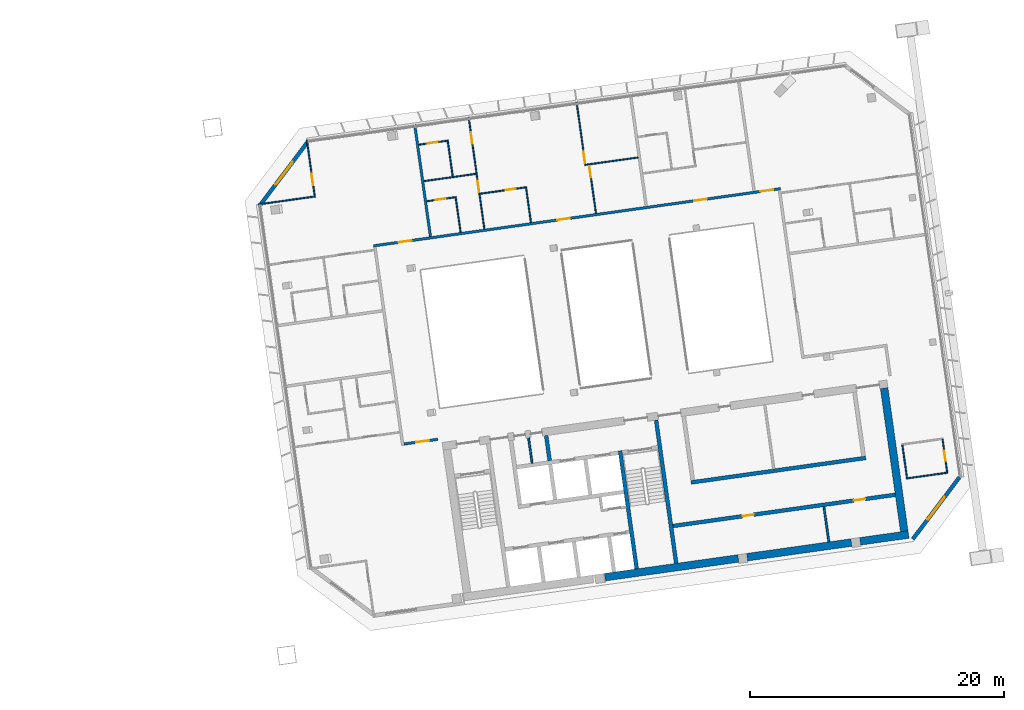
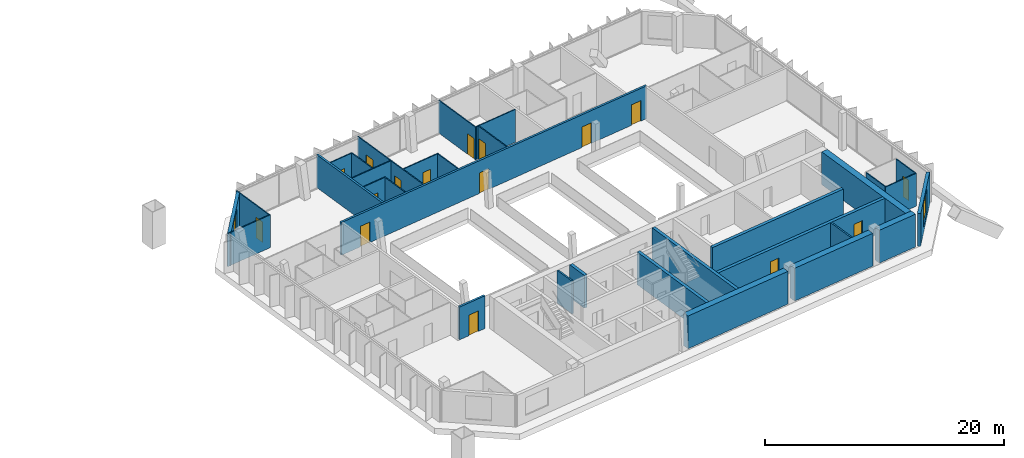
# One storey, part 20 of 26: 32 walls, 16 doors, 2 windows, 18 openings.
"""IFC4 building model written with IfcOpenShell, lengths in metres."""

from ifc_helpers import new_model, si_unit, direction, frame, frame_2d, origin, place, context, subcontext, project, spatial, rectangle, extrude, material, layer, layer_set, type_object, element, fill, save


model = new_model("IFC4")

# Units and contexts
model_context = context("Model", 3, precision=1e-05, world=origin(), true_north=direction((0.0, 1.0)))
body_context = subcontext(model_context, "Body", "Model", "MODEL_VIEW")
ifc_project = project(units=[si_unit("LENGTHUNIT", "METRE"), si_unit("AREAUNIT", "SQUARE_METRE"), si_unit("VOLUMEUNIT", "CUBIC_METRE"), si_unit("PLANEANGLEUNIT", "RADIAN"), si_unit("MASSUNIT", "GRAM", prefix="KILO")], contexts=[model_context])

# Site, building, storey
site_placement = place(None, origin())
site = spatial("IfcSite", under=ifc_project, at=site_placement, CompositionType="ELEMENT")
building_placement = place(site_placement, origin())
building = spatial("IfcBuilding", under=site, at=building_placement, Name="Mirante Cascada Hotel Towers", CompositionType="ELEMENT")
storey_placement = place(building_placement, frame((0.0, 0.0, 228.0)))
storey = spatial("IfcBuildingStorey", under=building, at=storey_placement, Name="L54", CompositionType="ELEMENT", Elevation=228.0)

# Wall, opening, door
ifc_material_1 = material(Name="Fire-rated plasterboard on metal studs")
ifc_layer_1 = layer(ifc_material_1, 0.2)
ifc_layer_set_1 = layer_set([ifc_layer_1], Name="Compartment wall 200 EI 120")
wall_type_1 = type_object("IfcWallType", Name="Compartment wall 200 EI 120", PredefinedType="PARTITIONING", material=ifc_layer_set_1)
wall_1_placement = place(storey_placement, frame((35.2634, -7.1173, 0.0), z_axis=(0.0, 0.0, 1.0), x_axis=(-0.9902713, -0.1391498, 0.0)))
wall_1 = element("IfcWall", 1, at=wall_1_placement, inside=storey, type_object=wall_type_1, Name="Wall 2-L54-04", PredefinedType="PARTITIONING", context=body_context, shape_type="SweptSolid", body=[
    extrude(rectangle(XDim=2.7, YDim=0.2, at=frame_2d((1.35, 0.0))), origin(), (0.0, 0.0, 1.0), 3.35),
])
opening_1_placement = place(wall_1_placement, frame((0.7, 0.0, 0.0)))
opening_1 = element("IfcOpeningElement", 2, at=opening_1_placement, cuts=wall_1, Name="Opening D2-L54-01", PredefinedType="OPENING", context=body_context, shape_type="SweptSolid", body=[
    extrude(rectangle(XDim=1.0, YDim=2.1, at=frame_2d((0.5, 1.05))), frame((0.0, 0.1, 0.0), z_axis=(0.0, -1.0, 0.0), x_axis=(1.0, 0.0, 0.0)), (0.0, 0.0, 1.0), 0.2),
])
ifc_material_2 = material(Name="Fire-rated timber door leaf", Category="wood")
door_type_1 = type_object("IfcDoorType", Name="Entrance door DG1 1000x2100 EI 60", OperationType="SINGLE_SWING_LEFT", PredefinedType="DOOR", material=ifc_material_2)
door_1_placement = place(opening_1_placement, origin())
door_1 = element("IfcDoor", 3, at=door_1_placement, inside=storey, type_object=door_type_1, Name="Door D2-L54-01", OperationType="SINGLE_SWING_LEFT", OverallHeight=2.1, OverallWidth=1.0, PredefinedType="DOOR", context=body_context, shape_type="SweptSolid", body=[
    extrude(rectangle(XDim=1.0, YDim=2.1, at=frame_2d((0.5, 1.05))), frame((0.0, 0.025, 0.0), z_axis=(0.0, -1.0, 0.0), x_axis=(1.0, 0.0, 0.0)), (0.0, 0.0, 1.0), 0.05),
])
fill(opening_1, door_1)

# Wall, openings, doors
wall_2_placement = place(storey_placement, frame((62.2774, 12.6346, 0.0), z_axis=(0.0, 0.0, 1.0), x_axis=(-0.9902681, -0.1391728, 0.0)))
wall_2 = element("IfcWall", 4, at=wall_2_placement, inside=storey, type_object=wall_type_1, Name="Wall 2-L54-18", PredefinedType="PARTITIONING", context=body_context, shape_type="SweptSolid", body=[
    extrude(rectangle(XDim=32.4, YDim=0.2, at=frame_2d((16.2, 0.0))), origin(), (0.0, 0.0, 1.0), 3.35),
])
opening_2_placement = place(wall_2_placement, frame((29.3753, 0.0, 0.0)))
opening_2 = element("IfcOpeningElement", 5, at=opening_2_placement, cuts=wall_2, Name="Opening D2-L54-08", PredefinedType="OPENING", context=body_context, shape_type="SweptSolid", body=[
    extrude(rectangle(XDim=1.0, YDim=2.1, at=frame_2d((0.5, 1.05))), frame((0.0, 0.1, 0.0), z_axis=(0.0, -1.0, 0.0), x_axis=(1.0, 0.0, 0.0)), (0.0, 0.0, 1.0), 0.2),
])
opening_3_placement = place(wall_2_placement, frame((16.763, 0.0, 0.0)))
opening_3 = element("IfcOpeningElement", 6, at=opening_3_placement, cuts=wall_2, Name="Opening D2-L54-09", PredefinedType="OPENING", context=body_context, shape_type="SweptSolid", body=[
    extrude(rectangle(XDim=1.0, YDim=2.1, at=frame_2d((0.5, 1.05))), frame((0.0, 0.1, 0.0), z_axis=(0.0, -1.0, 0.0), x_axis=(1.0, 0.0, 0.0)), (0.0, 0.0, 1.0), 0.2),
])
opening_4_placement = place(wall_2_placement, frame((5.8815, 0.0, 0.0)))
opening_4 = element("IfcOpeningElement", 7, at=opening_4_placement, cuts=wall_2, Name="Opening D2-L54-10", PredefinedType="OPENING", context=body_context, shape_type="SweptSolid", body=[
    extrude(rectangle(XDim=1.0, YDim=2.1, at=frame_2d((0.5, 1.05))), frame((0.0, 0.1, 0.0), z_axis=(0.0, -1.0, 0.0), x_axis=(1.0, 0.0, 0.0)), (0.0, 0.0, 1.0), 0.2),
])
opening_5_placement = place(wall_2_placement, frame((0.5939, 0.0, 0.0)))
opening_5 = element("IfcOpeningElement", 8, at=opening_5_placement, cuts=wall_2, Name="Opening D2-L54-11", PredefinedType="OPENING", context=body_context, shape_type="SweptSolid", body=[
    extrude(rectangle(XDim=1.0, YDim=2.1, at=frame_2d((0.5, 1.05))), frame((0.0, 0.1, 0.0), z_axis=(0.0, -1.0, 0.0), x_axis=(1.0, 0.0, 0.0)), (0.0, 0.0, 1.0), 0.2),
])
door_2_placement = place(opening_2_placement, frame((1.0, 0.0, 0.0), z_axis=(0.0, 0.0, 1.0), x_axis=(-1.0, 0.0, 0.0)))
door_2 = element("IfcDoor", 9, at=door_2_placement, inside=storey, type_object=door_type_1, Name="Door D2-L54-08", OperationType="SINGLE_SWING_RIGHT", OverallHeight=2.1, OverallWidth=1.0, PredefinedType="DOOR", context=body_context, shape_type="SweptSolid", body=[
    extrude(rectangle(XDim=1.0, YDim=2.1, at=frame_2d((0.5, 1.05))), frame((0.0, 0.025, 0.0), z_axis=(0.0, -1.0, 0.0), x_axis=(1.0, 0.0, 0.0)), (0.0, 0.0, 1.0), 0.05),
])
fill(opening_2, door_2)
door_3_placement = place(opening_3_placement, frame((1.0, 0.0, 0.0), z_axis=(0.0, 0.0, 1.0), x_axis=(-1.0, 0.0, 0.0)))
door_3 = element("IfcDoor", 10, at=door_3_placement, inside=storey, type_object=door_type_1, Name="Door D2-L54-09", OperationType="SINGLE_SWING_RIGHT", OverallHeight=2.1, OverallWidth=1.0, PredefinedType="DOOR", context=body_context, shape_type="SweptSolid", body=[
    extrude(rectangle(XDim=1.0, YDim=2.1, at=frame_2d((0.5, 1.05))), frame((0.0, 0.025, 0.0), z_axis=(0.0, -1.0, 0.0), x_axis=(1.0, 0.0, 0.0)), (0.0, 0.0, 1.0), 0.05),
])
fill(opening_3, door_3)
door_4_placement = place(opening_4_placement, frame((1.0, 0.0, 0.0), z_axis=(0.0, 0.0, 1.0), x_axis=(-1.0, 0.0, 0.0)))
door_4 = element("IfcDoor", 11, at=door_4_placement, inside=storey, type_object=door_type_1, Name="Door D2-L54-10", OperationType="SINGLE_SWING_RIGHT", OverallHeight=2.1, OverallWidth=1.0, PredefinedType="DOOR", context=body_context, shape_type="SweptSolid", body=[
    extrude(rectangle(XDim=1.0, YDim=2.1, at=frame_2d((0.5, 1.05))), frame((0.0, 0.025, 0.0), z_axis=(0.0, -1.0, 0.0), x_axis=(1.0, 0.0, 0.0)), (0.0, 0.0, 1.0), 0.05),
])
fill(opening_4, door_4)
door_5_placement = place(opening_5_placement, frame((1.0, 0.0, 0.0), z_axis=(0.0, 0.0, 1.0), x_axis=(-1.0, 0.0, 0.0)))
door_5 = element("IfcDoor", 12, at=door_5_placement, inside=storey, type_object=door_type_1, Name="Door D2-L54-11", OperationType="SINGLE_SWING_RIGHT", OverallHeight=2.1, OverallWidth=1.0, PredefinedType="DOOR", context=body_context, shape_type="SweptSolid", body=[
    extrude(rectangle(XDim=1.0, YDim=2.1, at=frame_2d((0.5, 1.05))), frame((0.0, 0.025, 0.0), z_axis=(0.0, -1.0, 0.0), x_axis=(1.0, 0.0, 0.0)), (0.0, 0.0, 1.0), 0.05),
])
fill(opening_5, door_5)

# Walls
wall_3_placement = place(storey_placement, frame((34.6839, 8.8575, 0.0), z_axis=(0.0, 0.0, 1.0), x_axis=(-0.1391684, 0.9902687, 0.0)))
element("IfcWall", 13, at=wall_3_placement, inside=storey, type_object=wall_type_1, Name="Wall 2-L54-37", PredefinedType="PARTITIONING", context=body_context, shape_type="SweptSolid", body=[
    extrude(rectangle(XDim=8.9, YDim=0.2, at=frame_2d((4.45, 0.0))), origin(), (0.0, 0.0, 1.0), 3.35),
])
ifc_material_3 = material(Name="Masonry block", Category="masonry")
ifc_layer_2 = layer(ifc_material_3, 0.15)
ifc_layer_set_2 = layer_set([ifc_layer_2], Name="Core room partition 150 block EI 30")
wall_type_2 = type_object("IfcWallType", Name="Core room partition 150 block EI 30", PredefinedType="PARTITIONING", material=ifc_layer_set_2)
wall_4_placement = place(storey_placement, frame((42.6979, -9.0009, 0.0), z_axis=(0.0, 0.0, 1.0), x_axis=(-0.1391529, 0.9902709, 0.0)))
element("IfcWall", 14, at=wall_4_placement, inside=storey, type_object=wall_type_2, Name="Core wall partition T2 L54 4", PredefinedType="PARTITIONING", context=body_context, shape_type="SweptSolid", body=[
    extrude(rectangle(XDim=2.0, YDim=0.15, at=frame_2d((1.0, 0.0))), origin(), (0.0, 0.0, 1.0), 3.35),
])
wall_5_placement = place(storey_placement, frame((66.0891, -15.2059, 0.0), z_axis=(0.0, 0.0, 1.0), x_axis=(-0.139176, 0.9902677, 0.0)))
element("IfcWall", 15, at=wall_5_placement, inside=storey, type_object=wall_type_2, Name="Core wall partition T2 L54 6", PredefinedType="PARTITIONING", context=body_context, shape_type="SweptSolid", body=[
    extrude(rectangle(XDim=2.8001, YDim=0.15, at=frame_2d((1.4, 0.0))), origin(), (0.0, 0.0, 1.0), 3.35),
])
ifc_material_4 = material(Name="Masonry block", Category="masonry")
ifc_layer_3 = layer(ifc_material_4, 0.3)
ifc_layer_set_3 = layer_set([ifc_layer_3], Name="Core wall 300 block EI 120")
wall_type_3 = type_object("IfcWallType", Name="Core wall 300 block EI 120", PredefinedType="PARTITIONING", material=ifc_layer_set_3)
wall_6_placement = place(storey_placement, frame((44.0843, -8.8061, 0.0), z_axis=(0.0, 0.0, 1.0), x_axis=(-0.1391951, 0.990265, 0.0)))
element("IfcWall", 16, at=wall_6_placement, inside=storey, type_object=wall_type_3, Name="Core wall partition T2 L54 1", PredefinedType="PARTITIONING", context=body_context, shape_type="SweptSolid", body=[
    extrude(rectangle(XDim=2.0001, YDim=0.3, at=frame_2d((1.0001, 0.0))), origin(), (0.0, 0.0, 1.0), 3.35),
])

# Wall, openings, doors
wall_7_placement = place(storey_placement, frame((53.7953, -13.9547, 0.0), z_axis=(0.0, 0.0, 1.0), x_axis=(0.9902678, 0.1391747, 0.0)))
wall_7 = element("IfcWall", 17, at=wall_7_placement, inside=storey, type_object=wall_type_3, Name="Core wall partition T2 L54 5", PredefinedType="PARTITIONING", context=body_context, shape_type="SweptSolid", body=[
    extrude(rectangle(XDim=17.7001, YDim=0.3, at=frame_2d((8.85, 0.0))), origin(), (0.0, 0.0, 1.0), 3.35),
])
opening_6_placement = place(wall_7_placement, frame((5.55, 0.0, 0.0)))
opening_6 = element("IfcOpeningElement", 18, at=opening_6_placement, cuts=wall_7, Name="Opening D2-54-C18", PredefinedType="OPENING", context=body_context, shape_type="SweptSolid", body=[
    extrude(rectangle(XDim=0.9, YDim=2.1, at=frame_2d((0.45, 1.05))), frame((0.0, 0.15, 0.0), z_axis=(0.0, -1.0, 0.0), x_axis=(1.0, 0.0, 0.0)), (0.0, 0.0, 1.0), 0.3),
])
opening_7_placement = place(wall_7_placement, frame((14.4, 0.0, 0.0)))
opening_7 = element("IfcOpeningElement", 19, at=opening_7_placement, cuts=wall_7, Name="Opening D2-54-C19", PredefinedType="OPENING", context=body_context, shape_type="SweptSolid", body=[
    extrude(rectangle(XDim=0.9, YDim=2.1, at=frame_2d((0.45, 1.05))), frame((0.0, 0.15, 0.0), z_axis=(0.0, -1.0, 0.0), x_axis=(1.0, 0.0, 0.0)), (0.0, 0.0, 1.0), 0.3),
])
ifc_material_5 = material(Name="Hollow metal fire door leaf")
door_type_2 = type_object("IfcDoorType", Name="Fire door 900x2100 FD60", OperationType="NOTDEFINED", PredefinedType="DOOR", material=ifc_material_5)
door_6_placement = place(opening_6_placement, frame((0.9, 0.0, 0.0), z_axis=(0.0, 0.0, 1.0), x_axis=(-1.0, 0.0, 0.0)))
door_6 = element("IfcDoor", 20, at=door_6_placement, inside=storey, type_object=door_type_2, Name="Room door T2 L54 18", OperationType="SINGLE_SWING_LEFT", OverallHeight=2.1, OverallWidth=0.9, PredefinedType="DOOR", context=body_context, shape_type="SweptSolid", body=[
    extrude(rectangle(XDim=0.9, YDim=2.1, at=frame_2d((0.45, 1.05))), frame((0.0, 0.025, 0.0), z_axis=(0.0, -1.0, 0.0), x_axis=(1.0, 0.0, 0.0)), (0.0, 0.0, 1.0), 0.05),
])
fill(opening_6, door_6)
door_7_placement = place(opening_7_placement, frame((0.9, 0.0, 0.0), z_axis=(0.0, 0.0, 1.0), x_axis=(-1.0, 0.0, 0.0)))
door_7 = element("IfcDoor", 21, at=door_7_placement, inside=storey, type_object=door_type_2, Name="Room door T2 L54 19", OperationType="SINGLE_SWING_RIGHT", OverallHeight=2.1, OverallWidth=0.9, PredefinedType="DOOR", context=body_context, shape_type="SweptSolid", body=[
    extrude(rectangle(XDim=0.9, YDim=2.1, at=frame_2d((0.45, 1.05))), frame((0.0, 0.025, 0.0), z_axis=(0.0, -1.0, 0.0), x_axis=(1.0, 0.0, 0.0)), (0.0, 0.0, 1.0), 0.05),
])
fill(opening_7, door_7)

# Wall
ifc_material_6 = material(Name="Plasterboard on metal studs")
ifc_layer_4 = layer(ifc_material_6, 0.1)
ifc_layer_set_4 = layer_set([ifc_layer_4], Name="Partition 100")
wall_type_4 = type_object("IfcWallType", Name="Partition 100", PredefinedType="PARTITIONING", material=ifc_layer_set_4)
wall_8_placement = place(storey_placement, frame((75.4707, -9.7471, 0.0), z_axis=(0.0, 0.0, 1.0), x_axis=(-0.990267, -0.139181, 0.0)))
element("IfcWall", 22, at=wall_8_placement, inside=storey, type_object=wall_type_4, Name="Wall 2-L54-02", PredefinedType="PARTITIONING", context=body_context, shape_type="SweptSolid", body=[
    extrude(rectangle(XDim=3.3, YDim=0.1, at=frame_2d((1.65, 0.0))), origin(), (0.0, 0.0, 1.0), 3.35),
])

# Wall, opening, door
wall_9_placement = place(storey_placement, frame((36.6214, 11.9573, 0.0), z_axis=(0.0, 0.0, 1.0), x_axis=(-0.9902713, -0.13915, 0.0)))
wall_9 = element("IfcWall", 23, at=wall_9_placement, inside=storey, type_object=wall_type_4, Name="Wall 2-L54-20", PredefinedType="PARTITIONING", context=body_context, shape_type="SweptSolid", body=[
    extrude(rectangle(XDim=2.2501, YDim=0.1, at=frame_2d((1.1251, 0.0))), origin(), (0.0, 0.0, 1.0), 3.35),
])
opening_8_placement = place(wall_9_placement, frame((0.75, 0.0, 0.0)))
opening_8 = element("IfcOpeningElement", 24, at=opening_8_placement, cuts=wall_9, Name="Opening D2-L54-12", PredefinedType="OPENING", context=body_context, shape_type="SweptSolid", body=[
    extrude(rectangle(XDim=0.8, YDim=2.1, at=frame_2d((0.4, 1.05))), frame((0.0, 0.05, 0.0), z_axis=(0.0, -1.0, 0.0), x_axis=(1.0, 0.0, 0.0)), (0.0, 0.0, 1.0), 0.1),
])
ifc_material_7 = material(Name="Timber door leaf", Category="wood")
door_type_3 = type_object("IfcDoorType", Name="Bathroom door DG4 800x2100", OperationType="SINGLE_SWING_LEFT", PredefinedType="DOOR", material=ifc_material_7)
door_8_placement = place(opening_8_placement, origin())
door_8 = element("IfcDoor", 25, at=door_8_placement, inside=storey, type_object=door_type_3, Name="Door D2-L54-12", OperationType="SINGLE_SWING_LEFT", OverallHeight=2.1, OverallWidth=0.8, PredefinedType="DOOR", context=body_context, shape_type="SweptSolid", body=[
    extrude(rectangle(XDim=0.8, YDim=2.1, at=frame_2d((0.4, 1.05))), frame((0.0, 0.025, 0.0), z_axis=(0.0, -1.0, 0.0), x_axis=(1.0, 0.0, 0.0)), (0.0, 0.0, 1.0), 0.05),
])
fill(opening_8, door_8)

wall_10_placement = place(storey_placement, frame((38.5957, 12.2348, 0.0), z_axis=(0.0, 0.0, 1.0), x_axis=(0.9902686, 0.1391697, 0.0)))
wall_10 = element("IfcWall", 26, at=wall_10_placement, inside=storey, type_object=wall_type_4, Name="Wall 2-L54-21", PredefinedType="PARTITIONING", context=body_context, shape_type="SweptSolid", body=[
    extrude(rectangle(XDim=3.7063, YDim=0.1, at=frame_2d((1.8532, 0.0))), origin(), (0.0, 0.0, 1.0), 3.35),
])
opening_9_placement = place(wall_10_placement, frame((2.0562, 0.0, 0.0)))
opening_9 = element("IfcOpeningElement", 27, at=opening_9_placement, cuts=wall_10, Name="Opening D2-L54-13", PredefinedType="OPENING", context=body_context, shape_type="SweptSolid", body=[
    extrude(rectangle(XDim=0.8, YDim=2.1, at=frame_2d((0.4, 1.05))), frame((0.0, 0.05, 0.0), z_axis=(0.0, -1.0, 0.0), x_axis=(1.0, 0.0, 0.0)), (0.0, 0.0, 1.0), 0.1),
])
door_9_placement = place(opening_9_placement, origin())
door_9 = element("IfcDoor", 28, at=door_9_placement, inside=storey, type_object=door_type_3, Name="Door D2-L54-13", OperationType="SINGLE_SWING_LEFT", OverallHeight=2.1, OverallWidth=0.8, PredefinedType="DOOR", context=body_context, shape_type="SweptSolid", body=[
    extrude(rectangle(XDim=0.8, YDim=2.1, at=frame_2d((0.4, 1.05))), frame((0.0, 0.025, 0.0), z_axis=(0.0, -1.0, 0.0), x_axis=(1.0, 0.0, 0.0)), (0.0, 0.0, 1.0), 0.05),
])
fill(opening_9, door_9)

# Walls
wall_11_placement = place(storey_placement, frame((51.0503, 15.096, 0.0), z_axis=(0.0, 0.0, 1.0), x_axis=(-0.9902684, -0.1391709, 0.0)))
element("IfcWall", 29, at=wall_11_placement, inside=storey, type_object=wall_type_4, Name="Wall 2-L54-22", PredefinedType="PARTITIONING", context=body_context, shape_type="SweptSolid", body=[
    extrude(rectangle(XDim=4.1438, YDim=0.1, at=frame_2d((2.0719, 0.0))), origin(), (0.0, 0.0, 1.0), 3.35),
])
wall_12_placement = place(storey_placement, frame((25.6169, 12.0265, 0.0), z_axis=(0.0, 0.0, 1.0), x_axis=(-0.9902691, -0.1391656, 0.0)))
element("IfcWall", 30, at=wall_12_placement, inside=storey, type_object=wall_type_4, Name="Wall 2-L54-24", PredefinedType="PARTITIONING", context=body_context, shape_type="SweptSolid", body=[
    extrude(rectangle(XDim=4.55, YDim=0.1, at=frame_2d((2.275, 0.0))), origin(), (0.0, 0.0, 1.0), 3.35),
])
wall_13_placement = place(storey_placement, frame((34.1706, 13.2286, 0.0), z_axis=(0.0, 0.0, 1.0), x_axis=(0.9902679, 0.1391742, 0.0)))
element("IfcWall", 31, at=wall_13_placement, inside=storey, type_object=wall_type_4, Name="Wall 2-L54-25", PredefinedType="PARTITIONING", context=body_context, shape_type="SweptSolid", body=[
    extrude(rectangle(XDim=4.1437, YDim=0.1, at=frame_2d((2.0718, 0.0))), origin(), (0.0, 0.0, 1.0), 3.35),
])

# Wall, opening, door
wall_14_placement = place(storey_placement, frame((33.767, 16.1004, 0.0), z_axis=(0.0, 0.0, 1.0), x_axis=(0.9902643, 0.1391997, 0.0)))
wall_14 = element("IfcWall", 32, at=wall_14_placement, inside=storey, type_object=wall_type_4, Name="Wall 2-L54-27", PredefinedType="PARTITIONING", context=body_context, shape_type="SweptSolid", body=[
    extrude(rectangle(XDim=2.25, YDim=0.1, at=frame_2d((1.125, 0.0))), origin(), (0.0, 0.0, 1.0), 3.35),
])
opening_10_placement = place(wall_14_placement, frame((0.7, 0.0, 0.0)))
opening_10 = element("IfcOpeningElement", 33, at=opening_10_placement, cuts=wall_14, Name="Opening D2-L54-16", PredefinedType="OPENING", context=body_context, shape_type="SweptSolid", body=[
    extrude(rectangle(XDim=0.8, YDim=2.1, at=frame_2d((0.4, 1.05))), frame((0.0, 0.05, 0.0), z_axis=(0.0, -1.0, 0.0), x_axis=(1.0, 0.0, 0.0)), (0.0, 0.0, 1.0), 0.1),
])
door_10_placement = place(opening_10_placement, frame((0.8, 0.0, 0.0), z_axis=(0.0, 0.0, 1.0), x_axis=(-1.0, 0.0, 0.0)))
door_10 = element("IfcDoor", 34, at=door_10_placement, inside=storey, type_object=door_type_3, Name="Door D2-L54-16", OperationType="SINGLE_SWING_RIGHT", OverallHeight=2.1, OverallWidth=0.8, PredefinedType="DOOR", context=body_context, shape_type="SweptSolid", body=[
    extrude(rectangle(XDim=0.8, YDim=2.1, at=frame_2d((0.4, 1.05))), frame((0.0, 0.025, 0.0), z_axis=(0.0, -1.0, 0.0), x_axis=(1.0, 0.0, 0.0)), (0.0, 0.0, 1.0), 0.05),
])
fill(opening_10, door_10)

wall_15_placement = place(storey_placement, frame((25.5605, 12.0691, 0.0), z_axis=(0.0, 0.0, 1.0), x_axis=(-0.1391935, 0.9902652, 0.0)))
wall_15 = element("IfcWall", 35, at=wall_15_placement, inside=storey, type_object=wall_type_4, Name="Wall 2-L54-33", PredefinedType="PARTITIONING", context=body_context, shape_type="SweptSolid", body=[
    extrude(rectangle(XDim=4.4499, YDim=0.1, at=frame_2d((2.225, 0.0))), origin(), (0.0, 0.0, 1.0), 3.35),
])
opening_11_placement = place(wall_15_placement, frame((0.8583, 0.0, 0.0)))
opening_11 = element("IfcOpeningElement", 36, at=opening_11_placement, cuts=wall_15, Name="Opening D2-L54-20", PredefinedType="OPENING", context=body_context, shape_type="SweptSolid", body=[
    extrude(rectangle(XDim=0.9, YDim=2.1, at=frame_2d((0.45, 1.05))), frame((0.0, 0.05, 0.0), z_axis=(0.0, -1.0, 0.0), x_axis=(1.0, 0.0, 0.0)), (0.0, 0.0, 1.0), 0.1),
])
ifc_material_8 = material(Name="Timber door leaf", Category="wood")
door_type_4 = type_object("IfcDoorType", Name="Room door DG3 900x2100", OperationType="SINGLE_SWING_LEFT", PredefinedType="DOOR", material=ifc_material_8)
door_11_placement = place(opening_11_placement, frame((0.9, 0.0, 0.0), z_axis=(0.0, 0.0, 1.0), x_axis=(-1.0, 0.0, 0.0)))
door_11 = element("IfcDoor", 37, at=door_11_placement, inside=storey, type_object=door_type_4, Name="Door D2-L54-20", OperationType="SINGLE_SWING_RIGHT", OverallHeight=2.1, OverallWidth=0.9, PredefinedType="DOOR", context=body_context, shape_type="SweptSolid", body=[
    extrude(rectangle(XDim=0.9, YDim=2.1, at=frame_2d((0.45, 1.05))), frame((0.0, 0.025, 0.0), z_axis=(0.0, -1.0, 0.0), x_axis=(1.0, 0.0, 0.0)), (0.0, 0.0, 1.0), 0.05),
])
fill(opening_11, door_11)

# Walls
wall_16_placement = place(storey_placement, frame((36.6639, 12.0138, 0.0), z_axis=(0.0, 0.0, 1.0), x_axis=(0.1391613, -0.9902697, 0.0)))
element("IfcWall", 38, at=wall_16_placement, inside=storey, type_object=wall_type_4, Name="Wall 2-L54-38", PredefinedType="PARTITIONING", context=body_context, shape_type="SweptSolid", body=[
    extrude(rectangle(XDim=2.8499, YDim=0.1, at=frame_2d((1.425, 0.0))), origin(), (0.0, 0.0, 1.0), 3.35),
])
wall_17_placement = place(storey_placement, frame((36.4412, 13.5982, 0.0), z_axis=(0.0, 0.0, 1.0), x_axis=(-0.1391714, 0.9902683, 0.0)))
element("IfcWall", 39, at=wall_17_placement, inside=storey, type_object=wall_type_4, Name="Wall 2-L54-39", PredefinedType="PARTITIONING", context=body_context, shape_type="SweptSolid", body=[
    extrude(rectangle(XDim=2.9, YDim=0.1, at=frame_2d((1.45, 0.0))), origin(), (0.0, 0.0, 1.0), 3.35),
])

# Wall, openings, doors
wall_18_placement = place(storey_placement, frame((37.6973, 18.2685, 0.0), z_axis=(0.0, 0.0, 1.0), x_axis=(0.1391684, -0.9902687, 0.0)))
wall_18 = element("IfcWall", 40, at=wall_18_placement, inside=storey, type_object=wall_type_4, Name="Wall 2-L54-40", PredefinedType="PARTITIONING", context=body_context, shape_type="SweptSolid", body=[
    extrude(rectangle(XDim=8.9, YDim=0.1, at=frame_2d((4.45, 0.0))), origin(), (0.0, 0.0, 1.0), 3.35),
])
opening_12_placement = place(wall_18_placement, frame((5.05, 0.0, 0.0)))
opening_12 = element("IfcOpeningElement", 41, at=opening_12_placement, cuts=wall_18, Name="Opening D2-L54-24", PredefinedType="OPENING", context=body_context, shape_type="SweptSolid", body=[
    extrude(rectangle(XDim=0.9, YDim=2.1, at=frame_2d((0.45, 1.05))), frame((0.0, 0.05, 0.0), z_axis=(0.0, -1.0, 0.0), x_axis=(1.0, 0.0, 0.0)), (0.0, 0.0, 1.0), 0.1),
])
opening_13_placement = place(wall_18_placement, frame((1.2, 0.0, 0.0)))
opening_13 = element("IfcOpeningElement", 42, at=opening_13_placement, cuts=wall_18, Name="Opening D2-L54-25", PredefinedType="OPENING", context=body_context, shape_type="SweptSolid", body=[
    extrude(rectangle(XDim=0.9, YDim=2.1, at=frame_2d((0.45, 1.05))), frame((0.0, 0.05, 0.0), z_axis=(0.0, -1.0, 0.0), x_axis=(1.0, 0.0, 0.0)), (0.0, 0.0, 1.0), 0.1),
])
door_12_placement = place(opening_12_placement, origin())
door_12 = element("IfcDoor", 43, at=door_12_placement, inside=storey, type_object=door_type_4, Name="Door D2-L54-24", OperationType="SINGLE_SWING_LEFT", OverallHeight=2.1, OverallWidth=0.9, PredefinedType="DOOR", context=body_context, shape_type="SweptSolid", body=[
    extrude(rectangle(XDim=0.9, YDim=2.1, at=frame_2d((0.45, 1.05))), frame((0.0, 0.025, 0.0), z_axis=(0.0, -1.0, 0.0), x_axis=(1.0, 0.0, 0.0)), (0.0, 0.0, 1.0), 0.05),
])
fill(opening_12, door_12)
door_13_placement = place(opening_13_placement, origin())
door_13 = element("IfcDoor", 44, at=door_13_placement, inside=storey, type_object=door_type_4, Name="Door D2-L54-25", OperationType="SINGLE_SWING_LEFT", OverallHeight=2.1, OverallWidth=0.9, PredefinedType="DOOR", context=body_context, shape_type="SweptSolid", body=[
    extrude(rectangle(XDim=0.9, YDim=2.1, at=frame_2d((0.45, 1.05))), frame((0.0, 0.025, 0.0), z_axis=(0.0, -1.0, 0.0), x_axis=(1.0, 0.0, 0.0)), (0.0, 0.0, 1.0), 0.05),
])
fill(opening_13, door_13)

# Wall
wall_19_placement = place(storey_placement, frame((42.6061, 9.9709, 0.0), z_axis=(0.0, 0.0, 1.0), x_axis=(-0.1391963, 0.9902648, 0.0)))
element("IfcWall", 45, at=wall_19_placement, inside=storey, type_object=wall_type_4, Name="Wall 2-L54-41", PredefinedType="PARTITIONING", context=body_context, shape_type="SweptSolid", body=[
    extrude(rectangle(XDim=2.7501, YDim=0.1, at=frame_2d((1.3751, 0.0))), origin(), (0.0, 0.0, 1.0), 3.35),
])

# Wall, opening, door
wall_20_placement = place(storey_placement, frame((46.2014, 19.4637, 0.0), z_axis=(0.0, 0.0, 1.0), x_axis=(0.1391671, -0.9902689, 0.0)))
wall_20 = element("IfcWall", 46, at=wall_20_placement, inside=storey, type_object=wall_type_4, Name="Wall 2-L54-42", PredefinedType="PARTITIONING", context=body_context, shape_type="SweptSolid", body=[
    extrude(rectangle(XDim=5.05, YDim=0.1, at=frame_2d((2.525, 0.0))), origin(), (0.0, 0.0, 1.0), 3.35),
])
opening_14_placement = place(wall_20_placement, frame((3.95, 0.0, 0.0)))
opening_14 = element("IfcOpeningElement", 47, at=opening_14_placement, cuts=wall_20, Name="Opening D2-L54-26", PredefinedType="OPENING", context=body_context, shape_type="SweptSolid", body=[
    extrude(rectangle(XDim=0.9, YDim=2.1, at=frame_2d((0.45, 1.05))), frame((0.0, 0.05, 0.0), z_axis=(0.0, -1.0, 0.0), x_axis=(1.0, 0.0, 0.0)), (0.0, 0.0, 1.0), 0.1),
])
door_14_placement = place(opening_14_placement, frame((0.9, 0.0, 0.0), z_axis=(0.0, 0.0, 1.0), x_axis=(-1.0, 0.0, 0.0)))
door_14 = element("IfcDoor", 48, at=door_14_placement, inside=storey, type_object=door_type_4, Name="Door D2-L54-26", OperationType="SINGLE_SWING_RIGHT", OverallHeight=2.1, OverallWidth=0.9, PredefinedType="DOOR", context=body_context, shape_type="SweptSolid", body=[
    extrude(rectangle(XDim=0.9, YDim=2.1, at=frame_2d((0.45, 1.05))), frame((0.0, 0.025, 0.0), z_axis=(0.0, -1.0, 0.0), x_axis=(1.0, 0.0, 0.0)), (0.0, 0.0, 1.0), 0.05),
])
fill(opening_14, door_14)

wall_21_placement = place(storey_placement, frame((47.731, 10.6912, 0.0), z_axis=(0.0, 0.0, 1.0), x_axis=(-0.1391701, 0.9902685, 0.0)))
wall_21 = element("IfcWall", 49, at=wall_21_placement, inside=storey, type_object=wall_type_4, Name="Wall 2-L54-43", PredefinedType="PARTITIONING", context=body_context, shape_type="SweptSolid", body=[
    extrude(rectangle(XDim=3.85, YDim=0.1, at=frame_2d((1.925, 0.0))), origin(), (0.0, 0.0, 1.0), 3.35),
])
opening_15_placement = place(wall_21_placement, frame((2.85, 0.0, 0.0)))
opening_15 = element("IfcOpeningElement", 50, at=opening_15_placement, cuts=wall_21, Name="Opening D2-L54-27", PredefinedType="OPENING", context=body_context, shape_type="SweptSolid", body=[
    extrude(rectangle(XDim=0.9, YDim=2.1, at=frame_2d((0.45, 1.05))), frame((0.0, 0.05, 0.0), z_axis=(0.0, -1.0, 0.0), x_axis=(1.0, 0.0, 0.0)), (0.0, 0.0, 1.0), 0.1),
])
door_15_placement = place(opening_15_placement, origin())
door_15 = element("IfcDoor", 51, at=door_15_placement, inside=storey, type_object=door_type_4, Name="Door D2-L54-27", OperationType="SINGLE_SWING_LEFT", OverallHeight=2.1, OverallWidth=0.9, PredefinedType="DOOR", context=body_context, shape_type="SweptSolid", body=[
    extrude(rectangle(XDim=0.9, YDim=2.1, at=frame_2d((0.45, 1.05))), frame((0.0, 0.025, 0.0), z_axis=(0.0, -1.0, 0.0), x_axis=(1.0, 0.0, 0.0)), (0.0, 0.0, 1.0), 0.05),
])
fill(opening_15, door_15)

# Wall
wall_22_placement = place(storey_placement, frame((71.8835, -7.5752, 0.0), z_axis=(0.0, 0.0, 1.0), x_axis=(0.1391918, -0.9902654, 0.0)))
element("IfcWall", 52, at=wall_22_placement, inside=storey, type_object=wall_type_4, Name="Wall 2-L54-52", PredefinedType="PARTITIONING", context=body_context, shape_type="SweptSolid", body=[
    extrude(rectangle(XDim=2.6, YDim=0.1, at=frame_2d((1.3, 0.0))), origin(), (0.0, 0.0, 1.0), 3.35),
])

# Wall, opening, door
wall_23_placement = place(storey_placement, frame((75.0524, -7.1298, 0.0), z_axis=(0.0, 0.0, 1.0), x_axis=(0.1391541, -0.9902707, 0.0)))
wall_23 = element("IfcWall", 53, at=wall_23_placement, inside=storey, type_object=wall_type_4, Name="Wall 2-L54-54", PredefinedType="PARTITIONING", context=body_context, shape_type="SweptSolid", body=[
    extrude(rectangle(XDim=2.6, YDim=0.1, at=frame_2d((1.3, 0.0))), origin(), (0.0, 0.0, 1.0), 3.35),
])
opening_16_placement = place(wall_23_placement, frame((0.9, 0.0, 0.0)))
opening_16 = element("IfcOpeningElement", 54, at=opening_16_placement, cuts=wall_23, Name="Opening D2-L54-32", PredefinedType="OPENING", context=body_context, shape_type="SweptSolid", body=[
    extrude(rectangle(XDim=0.8, YDim=2.1, at=frame_2d((0.4, 1.05))), frame((0.0, 0.05, 0.0), z_axis=(0.0, -1.0, 0.0), x_axis=(1.0, 0.0, 0.0)), (0.0, 0.0, 1.0), 0.1),
])
door_16_placement = place(opening_16_placement, frame((0.8, 0.0, 0.0), z_axis=(0.0, 0.0, 1.0), x_axis=(-1.0, 0.0, 0.0)))
door_16 = element("IfcDoor", 55, at=door_16_placement, inside=storey, type_object=door_type_3, Name="Door D2-L54-32", OperationType="SINGLE_SWING_RIGHT", OverallHeight=2.1, OverallWidth=0.8, PredefinedType="DOOR", context=body_context, shape_type="SweptSolid", body=[
    extrude(rectangle(XDim=0.8, YDim=2.1, at=frame_2d((0.4, 1.05))), frame((0.0, 0.025, 0.0), z_axis=(0.0, -1.0, 0.0), x_axis=(1.0, 0.0, 0.0)), (0.0, 0.0, 1.0), 0.05),
])
fill(opening_16, door_16)

# Wall, opening, window
ifc_material_9 = material(Name="Precast concrete C40/50", Category="concrete")
ifc_layer_5 = layer(ifc_material_9, 0.3)
ifc_layer_set_5 = layer_set([ifc_layer_5], Name="Precast concrete C40/50 cladding wall 300")
wall_type_5 = type_object("IfcWallType", Name="Precast concrete C40/50 cladding wall 300", PredefinedType="STANDARD", material=ifc_layer_set_5)
wall_24_placement = place(storey_placement, frame((72.7051, -14.9892, 0.0), z_axis=(0.0, 0.0, 1.0), x_axis=(0.6018141, 0.7986362, 0.0)))
wall_24 = element("IfcWall", 56, at=wall_24_placement, inside=storey, type_object=wall_type_5, Name="Corner cladding wall T2 L54 rear outer", PredefinedType="STANDARD", context=body_context, shape_type="SweptSolid", body=[
    extrude(rectangle(XDim=6.1157, YDim=0.3, at=frame_2d((3.0578, 0.0))), origin(), (0.0, 0.0, 1.0), 3.35),
])
opening_17_placement = place(wall_24_placement, frame((1.9578, 0.0, 0.6)))
opening_17 = element("IfcOpeningElement", 57, at=opening_17_placement, cuts=wall_24, Name="Opening W2-54-02", PredefinedType="OPENING", context=body_context, shape_type="SweptSolid", body=[
    extrude(rectangle(XDim=2.2, YDim=2.4, at=frame_2d((1.1, 1.2))), frame((0.0, 0.15, 0.0), z_axis=(0.0, -1.0, 0.0), x_axis=(1.0, 0.0, 0.0)), (0.0, 0.0, 1.0), 0.3),
])
ifc_material_10 = material(Name="Aluminium frame with clear double glazing", Category="aluminium")
window_type = type_object("IfcWindowType", Name="Corner suite window 2200x2400", PartitioningType="DOUBLE_PANEL_VERTICAL", PredefinedType="WINDOW", material=ifc_material_10)
window_1_placement = place(opening_17_placement, origin())
window_1 = element("IfcWindow", 58, at=window_1_placement, inside=storey, type_object=window_type, Name="Window W2-54-02", OverallHeight=2.4, OverallWidth=2.2, PartitioningType="SINGLE_PANEL", PredefinedType="WINDOW", context=body_context, shape_type="SweptSolid", body=[
    extrude(rectangle(XDim=2.2, YDim=2.4, at=frame_2d((1.1, 1.2))), frame((0.0, 0.03, 0.0), z_axis=(0.0, -1.0, 0.0), x_axis=(1.0, 0.0, 0.0)), (0.0, 0.0, 1.0), 0.06),
])
fill(opening_17, window_1)

wall_25_placement = place(storey_placement, frame((24.9863, 16.2863, 0.0), z_axis=(0.0, 0.0, 1.0), x_axis=(-0.6018245, -0.7986283, 0.0)))
wall_25 = element("IfcWall", 59, at=wall_25_placement, inside=storey, type_object=wall_type_5, Name="Corner cladding wall T2 L54 front inner", PredefinedType="STANDARD", context=body_context, shape_type="SweptSolid", body=[
    extrude(rectangle(XDim=6.1157, YDim=0.3, at=frame_2d((3.0578, 0.0))), origin(), (0.0, 0.0, 1.0), 3.35),
])
opening_18_placement = place(wall_25_placement, frame((1.9578, 0.0, 0.6)))
opening_18 = element("IfcOpeningElement", 60, at=opening_18_placement, cuts=wall_25, Name="Opening W2-54-04", PredefinedType="OPENING", context=body_context, shape_type="SweptSolid", body=[
    extrude(rectangle(XDim=2.2, YDim=2.4, at=frame_2d((1.1, 1.2))), frame((0.0, 0.15, 0.0), z_axis=(0.0, -1.0, 0.0), x_axis=(1.0, 0.0, 0.0)), (0.0, 0.0, 1.0), 0.3),
])
window_2_placement = place(opening_18_placement, origin())
window_2 = element("IfcWindow", 61, at=window_2_placement, inside=storey, type_object=window_type, Name="Window W2-54-04", OverallHeight=2.4, OverallWidth=2.2, PartitioningType="SINGLE_PANEL", PredefinedType="WINDOW", context=body_context, shape_type="SweptSolid", body=[
    extrude(rectangle(XDim=2.2, YDim=2.4, at=frame_2d((1.1, 1.2))), frame((0.0, 0.03, 0.0), z_axis=(0.0, -1.0, 0.0), x_axis=(1.0, 0.0, 0.0)), (0.0, 0.0, 1.0), 0.06),
])
fill(opening_18, window_2)

# Walls
ifc_material_11 = material(Name="Concrete C50/60", Category="concrete")
ifc_layer_6 = layer(ifc_material_11, 0.3)
ifc_layer_set_6 = layer_set([ifc_layer_6], Name="RC core wall 300 C50/60")
wall_type_6 = type_object("IfcWallType", Name="RC core wall 300 C50/60", PredefinedType="SHEAR", material=ifc_layer_set_6)
wall_26_placement = place(storey_placement, frame((50.938, -17.3352, 0.0), z_axis=(0.0, 0.0, 1.0), x_axis=(-0.1391706, 0.9902684, 0.0)))
element("IfcWall", 62, at=wall_26_placement, inside=storey, type_object=wall_type_6, Name="Core wall T2:L54:6", PredefinedType="SHEAR", context=body_context, shape_type="SweptSolid", body=[
    extrude(rectangle(XDim=9.4, YDim=0.3, at=frame_2d((4.7, 0.0))), origin(), (0.0, 0.0, 1.0), 3.35),
])
wall_27_placement = place(storey_placement, frame((54.0574, -16.8968, 0.0), z_axis=(0.0, 0.0, 1.0), x_axis=(-0.1391761, 0.9902677, 0.0)))
element("IfcWall", 63, at=wall_27_placement, inside=storey, type_object=wall_type_6, Name="Core wall T2:L54:7", PredefinedType="SHEAR", context=body_context, shape_type="SweptSolid", body=[
    extrude(rectangle(XDim=11.3999, YDim=0.3, at=frame_2d((5.7, 0.0))), origin(), (0.0, 0.0, 1.0), 3.35),
])
wall_28_placement = place(storey_placement, frame((55.2315, -10.5214, 0.0), z_axis=(0.0, 0.0, 1.0), x_axis=(0.9902681, 0.1391729, 0.0)))
element("IfcWall", 64, at=wall_28_placement, inside=storey, type_object=wall_type_6, Name="Core wall T2:L54:25", PredefinedType="SHEAR", context=body_context, shape_type="SweptSolid", body=[
    extrude(rectangle(XDim=13.9, YDim=0.3, at=frame_2d((6.95, 0.0))), origin(), (0.0, 0.0, 1.0), 3.35),
])
ifc_material_12 = material(Name="Concrete C50/60", Category="concrete")
ifc_layer_7 = layer(ifc_material_12, 0.6)
ifc_layer_set_7 = layer_set([ifc_layer_7], Name="RC core wall 600 C50/60")
wall_type_7 = type_object("IfcWallType", Name="RC core wall 600 C50/60", PredefinedType="SHEAR", material=ifc_layer_set_7)
wall_29_placement = place(storey_placement, frame((48.442, -17.989, 0.0), z_axis=(0.0, 0.0, 1.0), x_axis=(0.9902681, 0.1391731, 0.0)))
element("IfcWall", 65, at=wall_29_placement, inside=storey, type_object=wall_type_7, Name="Core wall T2:L54:1.2", PredefinedType="SHEAR", context=body_context, shape_type="SweptSolid", body=[
    extrude(rectangle(XDim=10.6127, YDim=0.6, at=frame_2d((5.3064, 0.0))), origin(), (0.0, 0.0, 1.0), 3.35),
])
wall_30_placement = place(storey_placement, frame((59.6446, -16.4145, 0.0), z_axis=(0.0, 0.0, 1.0), x_axis=(0.9902686, 0.1391692, 0.0)))
element("IfcWall", 66, at=wall_30_placement, inside=storey, type_object=wall_type_7, Name="Core wall T2:L54:1.3", PredefinedType="SHEAR", context=body_context, shape_type="SweptSolid", body=[
    extrude(rectangle(XDim=8.3, YDim=0.6, at=frame_2d((4.15, 0.0))), origin(), (0.0, 0.0, 1.0), 3.35),
])
wall_31_placement = place(storey_placement, frame((68.557, -15.162, 0.0), z_axis=(0.0, 0.0, 1.0), x_axis=(0.990269, 0.1391665, 0.0)))
element("IfcWall", 67, at=wall_31_placement, inside=storey, type_object=wall_type_7, Name="Core wall T2:L54:1.4", PredefinedType="SHEAR", context=body_context, shape_type="SweptSolid", body=[
    extrude(rectangle(XDim=3.8501, YDim=0.6, at=frame_2d((1.925, 0.0))), origin(), (0.0, 0.0, 1.0), 3.35),
])
wall_32_placement = place(storey_placement, frame((72.0307, -14.3708, 0.0), z_axis=(0.0, 0.0, 1.0), x_axis=(-0.1391675, 0.9902689, 0.0)))
element("IfcWall", 68, at=wall_32_placement, inside=storey, type_object=wall_type_7, Name="Core wall T2:L54:4", PredefinedType="SHEAR", context=body_context, shape_type="SweptSolid", body=[
    extrude(rectangle(XDim=11.3999, YDim=0.6, at=frame_2d((5.7, 0.0))), origin(), (0.0, 0.0, 1.0), 3.35),
])

save(model, "model.ifc")
